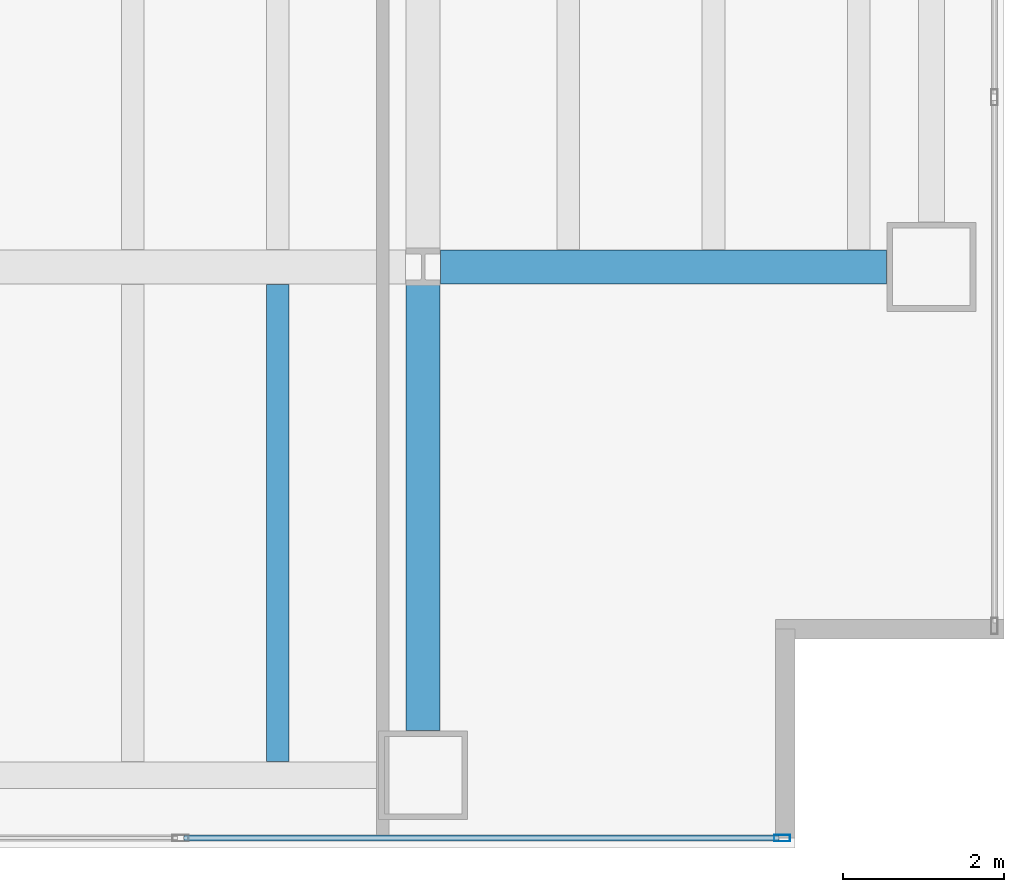
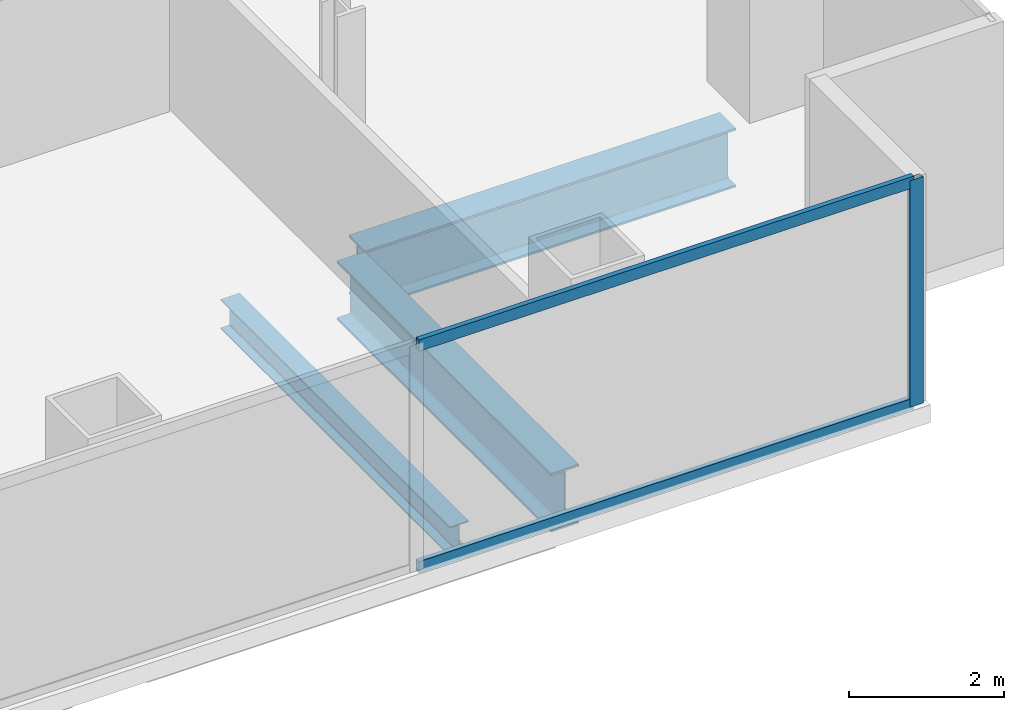
# One storey, part 8 of 23: 3 beams, 3 members, 1 element without a shape of its own.
"""IFC4 building model written with IfcOpenShell, lengths in metres."""

from ifc_helpers import new_model, si_unit, direction, frame, origin, origin_2d, place, context, subcontext, project, spatial, hollow_rectangle, i_section, extrude, material, material_profile, profile_set, type_object, element, aggregate, save


model = new_model("IFC4")

# Units and contexts
model_context = context("Model", 3, precision=1e-05, world=origin(), true_north=direction((0.0, 1.0)))
body_context = subcontext(model_context, "Body", "Model", "MODEL_VIEW")
ifc_project = project(units=[si_unit("LENGTHUNIT", "METRE"), si_unit("AREAUNIT", "SQUARE_METRE"), si_unit("VOLUMEUNIT", "CUBIC_METRE"), si_unit("PLANEANGLEUNIT", "RADIAN"), si_unit("MASSUNIT", "GRAM", prefix="KILO")], contexts=[model_context])

# Site, building, storey
site_placement = place(None, origin())
site = spatial("IfcSite", under=ifc_project, at=site_placement, CompositionType="ELEMENT")
building_placement = place(site_placement, origin())
building = spatial("IfcBuilding", under=site, at=building_placement, Name="Cobrela Telecom Tower", CompositionType="ELEMENT")
storey_placement = place(building_placement, frame((0.0, 0.0, 38.85009765625)))
storey = spatial("IfcBuildingStorey", under=building, at=storey_placement, Name="L09", CompositionType="ELEMENT", Elevation=38.85009765625)

# Beams
ifc_material_1 = material(Name="Steel ASTM A992 Grade 50", Category="steel")
ifc_material_profile_1 = material_profile(ifc_material_1, i_section(OverallWidth=0.4189453125, OverallDepth=0.927001953125, WebThickness=0.019287109375, FlangeThickness=0.031982421875, FilletRadius=0.02392578125, at=origin_2d()), Name="W36X231")
ifc_profile_set_1 = profile_set([ifc_material_profile_1], Name="Steel ASTM A992 Grade 50")
beam_type_1 = type_object("IfcBeamType", Name="BM-GIRD-02", PredefinedType="USERDEFINED", material=ifc_profile_set_1)
beam_1_placement = place(storey_placement, frame((43.416015625, 7.199951171875, -0.74365234375), z_axis=(1.0, 0.0, 0.0), x_axis=(0.0, 1.0, 0.0)))
element("IfcBeam", 1, at=beam_1_placement, inside=storey, type_object=beam_type_1, Name="L09 Primary Girder X12", ObjectType="GIRDER", PredefinedType="USERDEFINED", context=body_context, shape_type="SweptSolid", body=[
    extrude(i_section(OverallWidth=0.4189453125, OverallDepth=0.927001953125, WebThickness=0.019287109375, FlangeThickness=0.031982421875, FilletRadius=0.02392578125, at=origin_2d()), origin(), (0.0, 0.0, 1.0), 5.529052734375),
])
beam_2_placement = place(storey_placement, frame((43.199951171875, 1.455078125, -0.74365234375), z_axis=(0.0, 1.0, 0.0), x_axis=(-1.0, 0.0, 0.0)))
element("IfcBeam", 2, at=beam_2_placement, inside=storey, type_object=beam_type_1, Name="L09 Primary Girder Y53", ObjectType="GIRDER", PredefinedType="USERDEFINED", context=body_context, shape_type="SweptSolid", body=[
    extrude(i_section(OverallWidth=0.4189453125, OverallDepth=0.927001953125, WebThickness=0.019287109375, FlangeThickness=0.031982421875, FilletRadius=0.02392578125, at=origin_2d()), origin(), (0.0, 0.0, 1.0), 5.52880859375),
])
ifc_material_profile_2 = material_profile(ifc_material_1, i_section(OverallWidth=0.281982421875, OverallDepth=0.467041015625, WebThickness=0.01220703125, FlangeThickness=0.01953125, FilletRadius=0.012939453125, at=origin_2d()), Name="W18X86")
ifc_profile_set_2 = profile_set([ifc_material_profile_2], Name="Steel ASTM A992 Grade 50")
beam_type_2 = type_object("IfcBeamType", Name="BM-JOIST-02", PredefinedType="JOIST", material=ifc_profile_set_2)
beam_3_placement = place(storey_placement, frame((41.39990234375, 1.0673828125, -0.513671875), z_axis=(0.0, 1.0, 0.0), x_axis=(-1.0, 0.0, 0.0)))
element("IfcBeam", 3, at=beam_3_placement, inside=storey, type_object=beam_type_2, Name="L09 Secondary Composite Floor Beam J56", PredefinedType="JOIST", context=body_context, shape_type="SweptSolid", body=[
    extrude(i_section(OverallWidth=0.281982421875, OverallDepth=0.467041015625, WebThickness=0.01220703125, FlangeThickness=0.01953125, FilletRadius=0.012939453125, at=origin_2d()), origin(), (0.0, 0.0, 1.0), 5.918212890625),
])

# Curtain wall, members
ifc_material_2 = material(Name="Anodized Bronze Aluminium 6063-T6", Category="aluminium")
curtain_wall_type = type_object("IfcCurtainWallType", Name="CW-SYS-DATA", PredefinedType="USERDEFINED", material=ifc_material_2)
curtain_wall_placement = place(storey_placement, origin())
curtain_wall = element("IfcCurtainWall", 4, at=curtain_wall_placement, inside=storey, type_object=curtain_wall_type, Name="L09 Unitised Bronze Curtain Wall 17", ObjectType="UNITISED CURTAIN WALL", PredefinedType="USERDEFINED")
ifc_material_profile_3 = material_profile(ifc_material_2, hollow_rectangle(XDim=0.080078125, YDim=0.199951171875, WallThickness=0.00390625, at=origin_2d()), Name="ALU 80x200x4")
ifc_profile_set_3 = profile_set([ifc_material_profile_3], Name="Anodized Bronze Aluminium 6063-T6")
member_type_1 = type_object("IfcMemberType", Name="CW-SYS-DATA-MUL", PredefinedType="MULLION", material=ifc_profile_set_3)
member_1_placement = place(storey_placement, frame((47.64990234375, 0.1201171875, 0.0), z_axis=(0.0, 0.0, 1.0), x_axis=(0.0, -1.0, 0.0)))
member_1 = element("IfcMember", 5, at=member_1_placement, type_object=member_type_1, Name="CW-DATA mullion 1", PredefinedType="MULLION", context=body_context, shape_type="SweptSolid", body=[
    extrude(hollow_rectangle(XDim=0.080078125, YDim=0.199951171875, WallThickness=0.00390625, at=origin_2d()), origin(), (0.0, 0.0, 1.0), 3.56982421875),
])
ifc_material_profile_4 = material_profile(ifc_material_2, hollow_rectangle(XDim=0.074951171875, YDim=0.179931640625, WallThickness=0.00390625, at=origin_2d()), Name="ALU 75x180x4")
ifc_profile_set_4 = profile_set([ifc_material_profile_4], Name="Anodized Bronze Aluminium 6063-T6")
member_type_2 = type_object("IfcMemberType", Name="CW-SYS-DATA-TRN", PredefinedType="USERDEFINED", material=ifc_profile_set_4)
member_2_placement = place(storey_placement, frame((47.610107421875, 0.1201171875, 0.037353515625), z_axis=(-1.0, 0.0, 0.0), x_axis=(0.0, -1.0, 0.0)))
member_2 = element("IfcMember", 6, at=member_2_placement, type_object=member_type_2, Name="CW-DATA transom 1.1", ObjectType="TRANSOM", PredefinedType="USERDEFINED", context=body_context, shape_type="SweptSolid", body=[
    extrude(hollow_rectangle(XDim=0.074951171875, YDim=0.179931640625, WallThickness=0.00390625, at=origin_2d()), origin(), (0.0, 0.0, 1.0), 7.376708984375),
])
member_3_placement = place(storey_placement, frame((47.610107421875, 0.1201171875, 3.532470703125), z_axis=(-1.0, 0.0, 0.0), x_axis=(0.0, -1.0, 0.0)))
member_3 = element("IfcMember", 7, at=member_3_placement, type_object=member_type_2, Name="CW-DATA transom 1.2", ObjectType="TRANSOM", PredefinedType="USERDEFINED", context=body_context, shape_type="SweptSolid", body=[
    extrude(hollow_rectangle(XDim=0.074951171875, YDim=0.179931640625, WallThickness=0.00390625, at=origin_2d()), origin(), (0.0, 0.0, 1.0), 7.376708984375),
])
aggregate(curtain_wall, [member_1, member_2, member_3])

save(model, "model.ifc")
